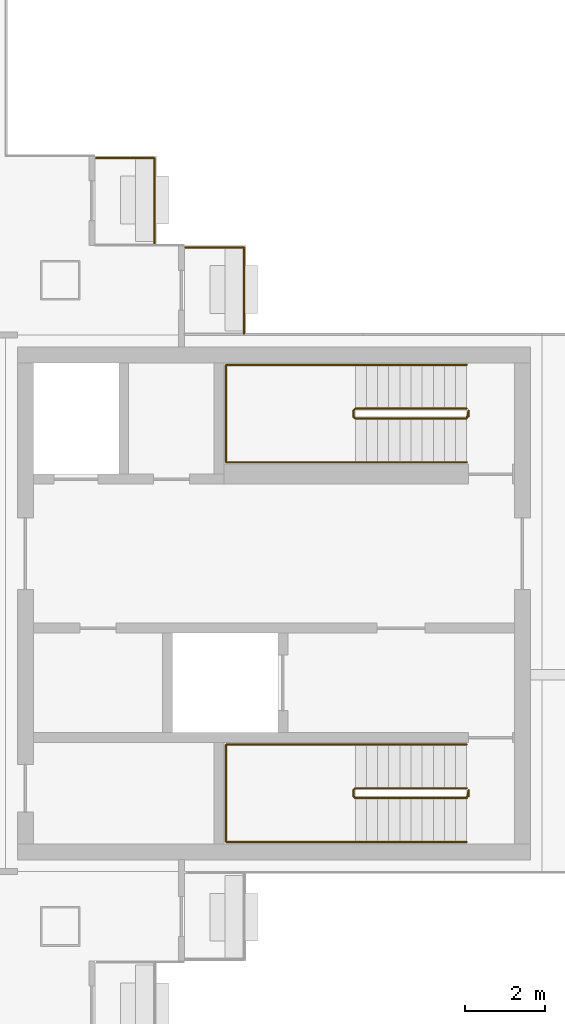
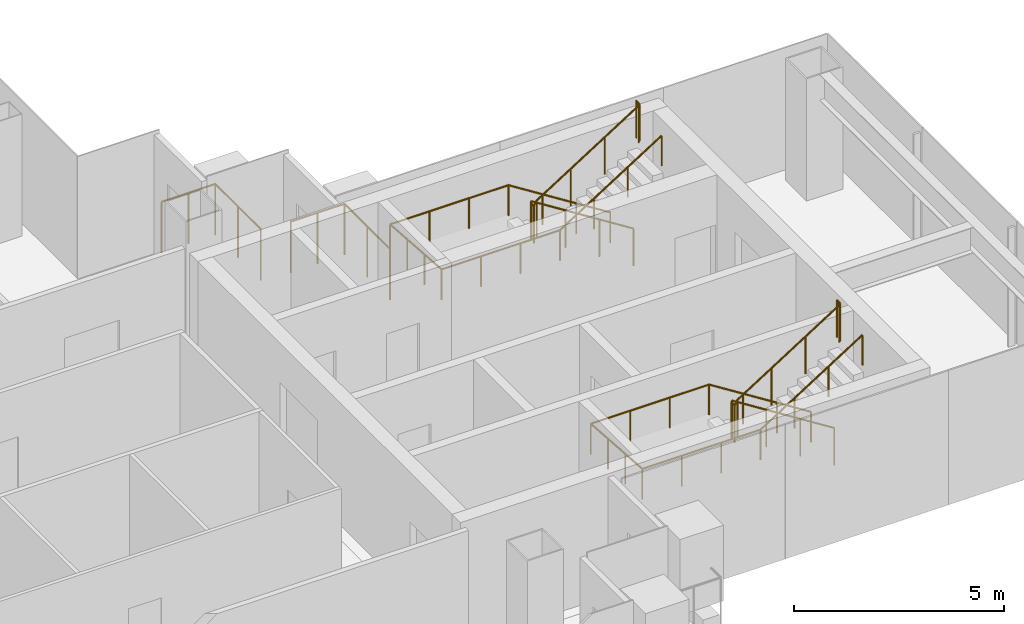
# One storey, part 15 of 16: 6 railings.
"""IFC4 building model written with IfcOpenShell, lengths in metres."""

from ifc_helpers import new_model, si_unit, direction, frame, origin, origin_2d, place, context, subcontext, project, spatial, circle, extrude, material, type_object, element, save


model = new_model("IFC4")

# Units and contexts
model_context = context("Model", 3, precision=1e-05, world=origin(), true_north=direction((0.0, 1.0)))
body_context = subcontext(model_context, "Body", "Model", "MODEL_VIEW")
ifc_project = project(units=[si_unit("LENGTHUNIT", "METRE"), si_unit("AREAUNIT", "SQUARE_METRE"), si_unit("VOLUMEUNIT", "CUBIC_METRE"), si_unit("PLANEANGLEUNIT", "RADIAN"), si_unit("MASSUNIT", "GRAM", prefix="KILO")], contexts=[model_context])

# Site, building, storey
site_placement = place(None, origin())
site = spatial("IfcSite", under=ifc_project, at=site_placement, CompositionType="ELEMENT")
building_placement = place(site_placement, origin())
building = spatial("IfcBuilding", under=site, at=building_placement, Name="Shamsa Quay Exchange Towers", CompositionType="ELEMENT")
storey_placement = place(building_placement, frame((0.0, 0.0, 186.60009765625)))
storey = spatial("IfcBuildingStorey", under=building, at=storey_placement, Name="L44", CompositionType="ELEMENT", Elevation=186.60009765625)

# Railings
ifc_material_1 = material(Name="Steel S355, black powder-coated", Category="steel")
railing_type_1 = type_object("IfcRailingType", Name="BALCONY GUARD 1500", PredefinedType="GUARDRAIL", material=ifc_material_1)
for number, where, name in (
    (1, (44.25, 9.0380859375, 0.0), "Balcony guard T2-PKES L44"),
    (2, (46.5, 6.7880859375, 0.0), "Balcony guard T2-PKES L44"),
):
    element("IfcRailing", number, at=place(storey_placement, frame(where)), inside=storey, type_object=railing_type_1, Name=name, PredefinedType="GUARDRAIL", context=body_context, shape_type="SweptSolid", body=[
        extrude(circle(Radius=0.02392578125, at=origin_2d()), frame((0.0, 0.0, 1.47607421875), z_axis=(0.0, 1.0, 0.0), x_axis=(-1.0, 0.0, 0.0)), (0.0, 0.0, 1.0), 2.161865234375),
        extrude(circle(Radius=0.02392578125, at=origin_2d()), frame((0.0, 2.161865234375, 1.47607421875), z_axis=(-1.0, 0.0, 0.0), x_axis=(0.0, -1.0, 0.0)), (0.0, 0.0, 1.0), 1.47900390625),
        extrude(circle(Radius=0.02099609375, at=origin_2d()), origin(), (0.0, 0.0, 1.0), 1.451904296875),
        extrude(circle(Radius=0.02099609375, at=origin_2d()), frame((0.0, 1.0810546875, 0.0)), (0.0, 0.0, 1.0), 1.451904296875),
        extrude(circle(Radius=0.02099609375, at=origin_2d()), frame((0.0, 2.161865234375, 0.0)), (0.0, 0.0, 1.0), 1.451904296875),
        extrude(circle(Radius=0.02099609375, at=origin_2d()), frame((-0.739501953125, 2.161865234375, 0.0)), (0.0, 0.0, 1.0), 1.451904296875),
        extrude(circle(Radius=0.02099609375, at=origin_2d()), frame((-1.47900390625, 2.161865234375, 0.0)), (0.0, 0.0, 1.0), 1.451904296875),
    ])
ifc_material_2 = material(Name="Stainless steel", Category="steel")
railing_type_2 = type_object("IfcRailingType", Name="STAIR GUARD 1100", PredefinedType="GUARDRAIL", material=ifc_material_2)
railing_1_placement = place(storey_placement, frame((52.10009765625, -4.64990234375, 0.17724609375)))
element("IfcRailing", 3, at=railing_1_placement, inside=storey, type_object=railing_type_2, Name="L44 ST5 stair guard 1", PredefinedType="GUARDRAIL", context=body_context, shape_type="SweptSolid", body=[
    extrude(circle(Radius=0.02392578125, at=origin_2d()), frame((0.0, 0.0, 1.076171875), z_axis=(-0.844908973607, 0.0, 0.534910110503), x_axis=(0.0, -1.0, 0.0)), (0.0, 0.0, 1.0), 3.31396484375),
    extrude(circle(Radius=0.02392578125, at=origin_2d()), frame((-2.800048828125, 0.0, 2.8486328125), z_axis=(-0.707106781187, -0.707106781187, 0.0), x_axis=(0.707106781187, -0.707106781187, 0.0)), (0.0, 0.0, 1.0), 0.07080078125),
    extrude(circle(Radius=0.02392578125, at=origin_2d()), frame((-2.85009765625, -0.050048828125, 2.8486328125), z_axis=(0.0, -1.0, 0.0), x_axis=(1.0, 0.0, 0.0)), (0.0, 0.0, 1.0), 0.150146484375),
    extrude(circle(Radius=0.02392578125, at=origin_2d()), frame((-2.85009765625, -0.2001953125, 2.8486328125), z_axis=(0.262321481514, -0.261041864531, 0.929001929653), x_axis=(0.705375805398, 0.708833529934, 0.0)), (0.0, 0.0, 1.0), 0.190673828125),
    extrude(circle(Radius=0.02392578125, at=origin_2d()), frame((-2.800048828125, -0.25, 3.02587890625), z_axis=(0.844908973607, 0.0, 0.534910110503), x_axis=(0.0, 1.0, 0.0)), (0.0, 0.0, 1.0), 3.31396484375),
    extrude(circle(Radius=0.02392578125, at=origin_2d()), frame((0.0, -0.25, 4.798828125), z_axis=(0.241699205484, 0.970351222016, 0.0), x_axis=(-0.970351222016, 0.241699205484, 0.0)), (0.0, 0.0, 1.0), 0.2060546875),
    extrude(circle(Radius=0.02392578125, at=origin_2d()), frame((0.0498046875, -0.050048828125, 4.798828125), z_axis=(0.0, -1.0, 0.0), x_axis=(1.0, 0.0, 0.0)), (0.0, 0.0, 1.0), 0.150146484375),
    extrude(circle(Radius=0.02099609375, at=origin_2d()), origin(), (0.0, 0.0, 1.0), 1.052001953125),
    extrude(circle(Radius=0.02099609375, at=origin_2d()), frame((-0.933349609375, 0.0, 0.5908203125)), (0.0, 0.0, 1.0), 1.052001953125),
    extrude(circle(Radius=0.02099609375, at=origin_2d()), frame((-1.86669921875, 0.0, 1.181884765625)), (0.0, 0.0, 1.0), 1.052001953125),
    extrude(circle(Radius=0.02099609375, at=origin_2d()), frame((-2.800048828125, 0.0, 1.772705078125)), (0.0, 0.0, 1.0), 1.052001953125),
    extrude(circle(Radius=0.02099609375, at=origin_2d()), frame((-2.85009765625, -0.050048828125, 1.772705078125)), (0.0, 0.0, 1.0), 1.052001953125),
    extrude(circle(Radius=0.02099609375, at=origin_2d()), frame((-2.85009765625, -0.2001953125, 1.772705078125)), (0.0, 0.0, 1.0), 1.052001953125),
    extrude(circle(Radius=0.02099609375, at=origin_2d()), frame((-2.800048828125, -0.25, 1.949951171875)), (0.0, 0.0, 1.0), 1.052001953125),
    extrude(circle(Radius=0.02099609375, at=origin_2d()), frame((-1.86669921875, -0.25, 2.540771484375)), (0.0, 0.0, 1.0), 1.052001953125),
    extrude(circle(Radius=0.02099609375, at=origin_2d()), frame((-0.933349609375, -0.25, 3.1318359375)), (0.0, 0.0, 1.0), 1.052001953125),
    extrude(circle(Radius=0.02099609375, at=origin_2d()), frame((0.0, -0.25, 3.72265625)), (0.0, 0.0, 1.0), 1.052001953125),
    extrude(circle(Radius=0.02099609375, at=origin_2d()), frame((0.0498046875, -0.050048828125, 3.72265625)), (0.0, 0.0, 1.0), 1.052001953125),
    extrude(circle(Radius=0.02099609375, at=origin_2d()), frame((0.0498046875, -0.2001953125, 3.72265625)), (0.0, 0.0, 1.0), 1.052001953125),
])
railing_2_placement = place(storey_placement, frame((52.10009765625, 4.89990234375, 0.17724609375)))
element("IfcRailing", 4, at=railing_2_placement, inside=storey, type_object=railing_type_2, Name="L44 ST6 stair guard 1", PredefinedType="GUARDRAIL", context=body_context, shape_type="SweptSolid", body=[
    extrude(circle(Radius=0.02392578125, at=origin_2d()), frame((0.0, 0.0, 1.076171875), z_axis=(-0.844908973607, 0.0, 0.534910110503), x_axis=(0.0, -1.0, 0.0)), (0.0, 0.0, 1.0), 3.31396484375),
    extrude(circle(Radius=0.02392578125, at=origin_2d()), frame((-2.800048828125, 0.0, 2.8486328125), z_axis=(-0.708833529934, -0.705375805398, 0.0), x_axis=(0.705375805398, -0.708833529934, 0.0)), (0.0, 0.0, 1.0), 0.070556640625),
    extrude(circle(Radius=0.02392578125, at=origin_2d()), frame((-2.85009765625, -0.0498046875, 2.8486328125), z_axis=(0.0, -1.0, 0.0), x_axis=(1.0, 0.0, 0.0)), (0.0, 0.0, 1.0), 0.150146484375),
    extrude(circle(Radius=0.02392578125, at=origin_2d()), frame((-2.85009765625, -0.199951171875, 2.8486328125), z_axis=(0.262233686654, -0.262233686654, 0.928691007369), x_axis=(0.707106781187, 0.707106781187, 0.0)), (0.0, 0.0, 1.0), 0.19091796875),
    extrude(circle(Radius=0.02392578125, at=origin_2d()), frame((-2.800048828125, -0.25, 3.02587890625), z_axis=(0.844908973607, 0.0, 0.534910110503), x_axis=(0.0, 1.0, 0.0)), (0.0, 0.0, 1.0), 3.31396484375),
    extrude(circle(Radius=0.02392578125, at=origin_2d()), frame((0.0, -0.25, 4.798828125), z_axis=(0.24142163986, 0.970420317083, 0.0), x_axis=(-0.970420317083, 0.24142163986, 0.0)), (0.0, 0.0, 1.0), 0.206298828125),
    extrude(circle(Radius=0.02392578125, at=origin_2d()), frame((0.0498046875, -0.0498046875, 4.798828125), z_axis=(0.0, -1.0, 0.0), x_axis=(1.0, 0.0, 0.0)), (0.0, 0.0, 1.0), 0.150146484375),
    extrude(circle(Radius=0.02099609375, at=origin_2d()), origin(), (0.0, 0.0, 1.0), 1.052001953125),
    extrude(circle(Radius=0.02099609375, at=origin_2d()), frame((-0.933349609375, 0.0, 0.5908203125)), (0.0, 0.0, 1.0), 1.052001953125),
    extrude(circle(Radius=0.02099609375, at=origin_2d()), frame((-1.86669921875, 0.0, 1.181884765625)), (0.0, 0.0, 1.0), 1.052001953125),
    extrude(circle(Radius=0.02099609375, at=origin_2d()), frame((-2.800048828125, 0.0, 1.772705078125)), (0.0, 0.0, 1.0), 1.052001953125),
    extrude(circle(Radius=0.02099609375, at=origin_2d()), frame((-2.85009765625, -0.0498046875, 1.772705078125)), (0.0, 0.0, 1.0), 1.052001953125),
    extrude(circle(Radius=0.02099609375, at=origin_2d()), frame((-2.85009765625, -0.199951171875, 1.772705078125)), (0.0, 0.0, 1.0), 1.052001953125),
    extrude(circle(Radius=0.02099609375, at=origin_2d()), frame((-2.800048828125, -0.25, 1.949951171875)), (0.0, 0.0, 1.0), 1.052001953125),
    extrude(circle(Radius=0.02099609375, at=origin_2d()), frame((-1.86669921875, -0.25, 2.540771484375)), (0.0, 0.0, 1.0), 1.052001953125),
    extrude(circle(Radius=0.02099609375, at=origin_2d()), frame((-0.933349609375, -0.25, 3.1318359375)), (0.0, 0.0, 1.0), 1.052001953125),
    extrude(circle(Radius=0.02099609375, at=origin_2d()), frame((0.0, -0.25, 3.72265625)), (0.0, 0.0, 1.0), 1.052001953125),
    extrude(circle(Radius=0.02099609375, at=origin_2d()), frame((0.0498046875, -0.0498046875, 3.72265625)), (0.0, 0.0, 1.0), 1.052001953125),
    extrude(circle(Radius=0.02099609375, at=origin_2d()), frame((0.0498046875, -0.199951171875, 3.72265625)), (0.0, 0.0, 1.0), 1.052001953125),
])
railing_type_3 = type_object("IfcRailingType", Name="STAIR HANDRAIL 900", PredefinedType="HANDRAIL", material=ifc_material_2)
railing_3_placement = place(storey_placement, frame((52.10009765625, -3.550048828125, 0.17724609375)))
element("IfcRailing", 5, at=railing_3_placement, inside=storey, type_object=railing_type_3, Name="L44 ST5 stair handrail 1", PredefinedType="HANDRAIL", context=body_context, shape_type="SweptSolid", body=[
    extrude(circle(Radius=0.02392578125, at=origin_2d()), frame((0.0, 0.0, 0.8759765625), z_axis=(-0.844908973607, 0.0, 0.534910110503), x_axis=(0.0, -1.0, 0.0)), (0.0, 0.0, 1.0), 3.31396484375),
    extrude(circle(Radius=0.02392578125, at=origin_2d()), frame((-2.800048828125, 0.0, 2.6484375), z_axis=(-1.0, 0.0, 0.0), x_axis=(0.0, -1.0, 0.0)), (0.0, 0.0, 1.0), 3.25),
    extrude(circle(Radius=0.02392578125, at=origin_2d()), frame((-6.050048828125, 0.0, 2.6484375), z_axis=(0.0, -0.997393199914, 0.07215819264), x_axis=(1.0, 0.0, 0.0)), (0.0, 0.0, 1.0), 2.456298828125),
    extrude(circle(Radius=0.02392578125, at=origin_2d()), frame((-6.050048828125, -2.449951171875, 2.82568359375), z_axis=(1.0, 0.0, 0.0), x_axis=(0.0, 1.0, 0.0)), (0.0, 0.0, 1.0), 3.25),
    extrude(circle(Radius=0.02392578125, at=origin_2d()), frame((-2.800048828125, -2.449951171875, 2.82568359375), z_axis=(0.844908973607, 0.0, 0.534910110503), x_axis=(0.0, 1.0, 0.0)), (0.0, 0.0, 1.0), 3.31396484375),
    extrude(circle(Radius=0.02099609375, at=origin_2d()), origin(), (0.0, 0.0, 1.0), 0.851806640625),
    extrude(circle(Radius=0.02099609375, at=origin_2d()), frame((-0.933349609375, 0.0, 0.5908203125)), (0.0, 0.0, 1.0), 0.851806640625),
    extrude(circle(Radius=0.02099609375, at=origin_2d()), frame((-1.86669921875, 0.0, 1.181884765625)), (0.0, 0.0, 1.0), 0.851806640625),
    extrude(circle(Radius=0.02099609375, at=origin_2d()), frame((-2.800048828125, 0.0, 1.772705078125)), (0.0, 0.0, 1.0), 0.851806640625),
    extrude(circle(Radius=0.02099609375, at=origin_2d()), frame((-3.88330078125, 0.0, 1.772705078125)), (0.0, 0.0, 1.0), 0.851806640625),
    extrude(circle(Radius=0.02099609375, at=origin_2d()), frame((-4.966796875, 0.0, 1.772705078125)), (0.0, 0.0, 1.0), 0.851806640625),
    extrude(circle(Radius=0.02099609375, at=origin_2d()), frame((-6.050048828125, 0.0, 1.772705078125)), (0.0, 0.0, 1.0), 0.851806640625),
    extrude(circle(Radius=0.02099609375, at=origin_2d()), frame((-6.050048828125, -0.816650390625, 1.831787109375)), (0.0, 0.0, 1.0), 0.851806640625),
    extrude(circle(Radius=0.02099609375, at=origin_2d()), frame((-6.050048828125, -1.63330078125, 1.890869140625)), (0.0, 0.0, 1.0), 0.851806640625),
    extrude(circle(Radius=0.02099609375, at=origin_2d()), frame((-6.050048828125, -2.449951171875, 1.949951171875)), (0.0, 0.0, 1.0), 0.851806640625),
    extrude(circle(Radius=0.02099609375, at=origin_2d()), frame((-4.966796875, -2.449951171875, 1.949951171875)), (0.0, 0.0, 1.0), 0.851806640625),
    extrude(circle(Radius=0.02099609375, at=origin_2d()), frame((-3.88330078125, -2.449951171875, 1.949951171875)), (0.0, 0.0, 1.0), 0.851806640625),
    extrude(circle(Radius=0.02099609375, at=origin_2d()), frame((-2.800048828125, -2.449951171875, 1.949951171875)), (0.0, 0.0, 1.0), 0.851806640625),
    extrude(circle(Radius=0.02099609375, at=origin_2d()), frame((-1.86669921875, -2.449951171875, 2.540771484375)), (0.0, 0.0, 1.0), 0.851806640625),
    extrude(circle(Radius=0.02099609375, at=origin_2d()), frame((-0.933349609375, -2.449951171875, 3.1318359375)), (0.0, 0.0, 1.0), 0.851806640625),
    extrude(circle(Radius=0.02099609375, at=origin_2d()), frame((0.0, -2.449951171875, 3.72265625)), (0.0, 0.0, 1.0), 0.851806640625),
])
railing_4_placement = place(storey_placement, frame((52.10009765625, 6.0, 0.17724609375)))
element("IfcRailing", 6, at=railing_4_placement, inside=storey, type_object=railing_type_3, Name="L44 ST6 stair handrail 1", PredefinedType="HANDRAIL", context=body_context, shape_type="SweptSolid", body=[
    extrude(circle(Radius=0.02392578125, at=origin_2d()), frame((0.0, 0.0, 0.8759765625), z_axis=(-0.844908973607, 0.0, 0.534910110503), x_axis=(0.0, -1.0, 0.0)), (0.0, 0.0, 1.0), 3.31396484375),
    extrude(circle(Radius=0.02392578125, at=origin_2d()), frame((-2.800048828125, 0.0, 2.6484375), z_axis=(-1.0, 0.0, 0.0), x_axis=(0.0, -1.0, 0.0)), (0.0, 0.0, 1.0), 3.25),
    extrude(circle(Radius=0.02392578125, at=origin_2d()), frame((-6.050048828125, 0.0, 2.6484375), z_axis=(0.0, -0.997393199914, 0.07215819264), x_axis=(1.0, 0.0, 0.0)), (0.0, 0.0, 1.0), 2.456298828125),
    extrude(circle(Radius=0.02392578125, at=origin_2d()), frame((-6.050048828125, -2.449951171875, 2.82568359375), z_axis=(1.0, 0.0, 0.0), x_axis=(0.0, 1.0, 0.0)), (0.0, 0.0, 1.0), 3.25),
    extrude(circle(Radius=0.02392578125, at=origin_2d()), frame((-2.800048828125, -2.449951171875, 2.82568359375), z_axis=(0.844908973607, 0.0, 0.534910110503), x_axis=(0.0, 1.0, 0.0)), (0.0, 0.0, 1.0), 3.31396484375),
    extrude(circle(Radius=0.02099609375, at=origin_2d()), origin(), (0.0, 0.0, 1.0), 0.851806640625),
    extrude(circle(Radius=0.02099609375, at=origin_2d()), frame((-0.933349609375, 0.0, 0.5908203125)), (0.0, 0.0, 1.0), 0.851806640625),
    extrude(circle(Radius=0.02099609375, at=origin_2d()), frame((-1.86669921875, 0.0, 1.181884765625)), (0.0, 0.0, 1.0), 0.851806640625),
    extrude(circle(Radius=0.02099609375, at=origin_2d()), frame((-2.800048828125, 0.0, 1.772705078125)), (0.0, 0.0, 1.0), 0.851806640625),
    extrude(circle(Radius=0.02099609375, at=origin_2d()), frame((-3.88330078125, 0.0, 1.772705078125)), (0.0, 0.0, 1.0), 0.851806640625),
    extrude(circle(Radius=0.02099609375, at=origin_2d()), frame((-4.966796875, 0.0, 1.772705078125)), (0.0, 0.0, 1.0), 0.851806640625),
    extrude(circle(Radius=0.02099609375, at=origin_2d()), frame((-6.050048828125, 0.0, 1.772705078125)), (0.0, 0.0, 1.0), 0.851806640625),
    extrude(circle(Radius=0.02099609375, at=origin_2d()), frame((-6.050048828125, -0.816650390625, 1.831787109375)), (0.0, 0.0, 1.0), 0.851806640625),
    extrude(circle(Radius=0.02099609375, at=origin_2d()), frame((-6.050048828125, -1.63330078125, 1.890869140625)), (0.0, 0.0, 1.0), 0.851806640625),
    extrude(circle(Radius=0.02099609375, at=origin_2d()), frame((-6.050048828125, -2.449951171875, 1.949951171875)), (0.0, 0.0, 1.0), 0.851806640625),
    extrude(circle(Radius=0.02099609375, at=origin_2d()), frame((-4.966796875, -2.449951171875, 1.949951171875)), (0.0, 0.0, 1.0), 0.851806640625),
    extrude(circle(Radius=0.02099609375, at=origin_2d()), frame((-3.88330078125, -2.449951171875, 1.949951171875)), (0.0, 0.0, 1.0), 0.851806640625),
    extrude(circle(Radius=0.02099609375, at=origin_2d()), frame((-2.800048828125, -2.449951171875, 1.949951171875)), (0.0, 0.0, 1.0), 0.851806640625),
    extrude(circle(Radius=0.02099609375, at=origin_2d()), frame((-1.86669921875, -2.449951171875, 2.540771484375)), (0.0, 0.0, 1.0), 0.851806640625),
    extrude(circle(Radius=0.02099609375, at=origin_2d()), frame((-0.933349609375, -2.449951171875, 3.1318359375)), (0.0, 0.0, 1.0), 0.851806640625),
    extrude(circle(Radius=0.02099609375, at=origin_2d()), frame((0.0, -2.449951171875, 3.72265625)), (0.0, 0.0, 1.0), 0.851806640625),
])

save(model, "model.ifc")
